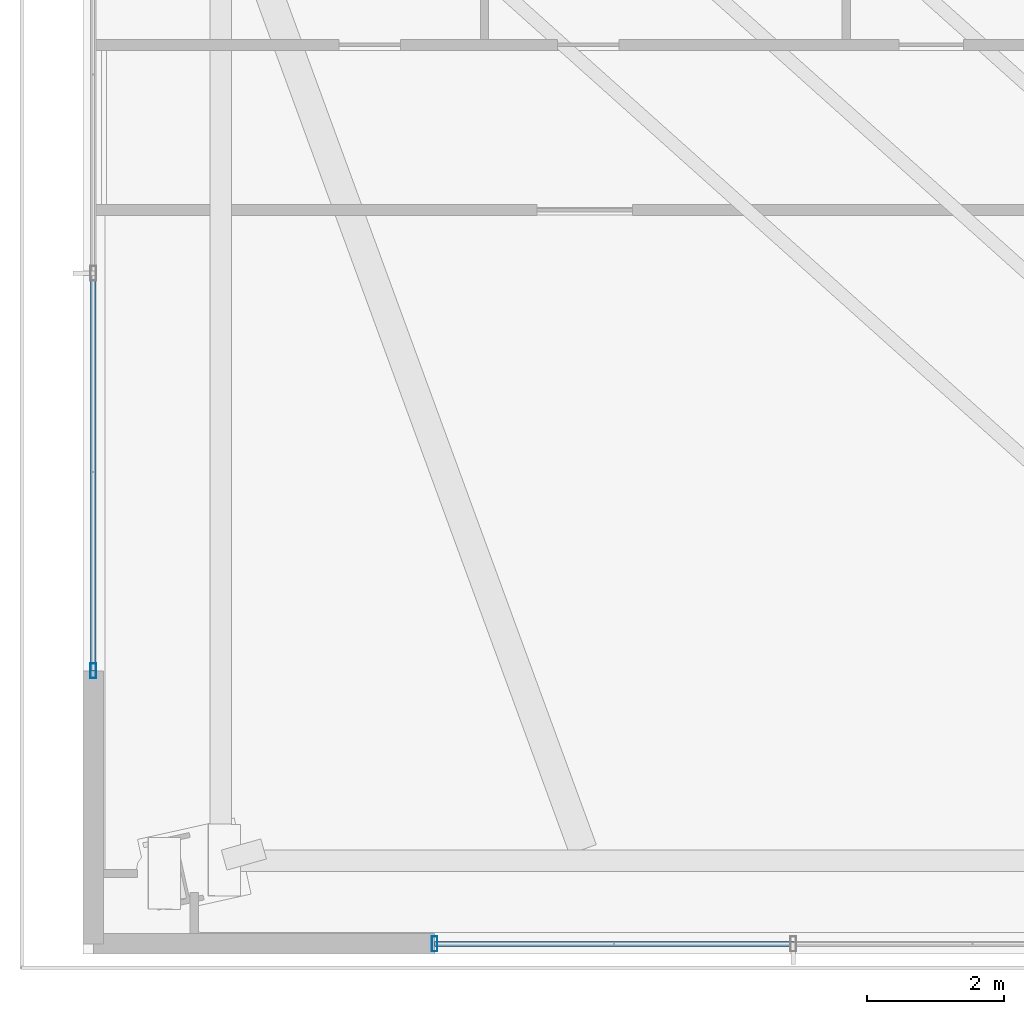
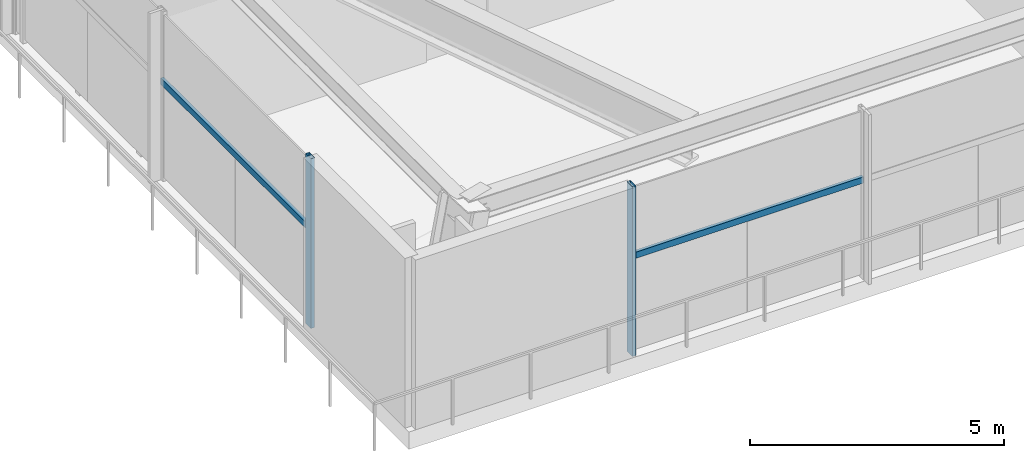
# One storey, part 2 of 30: 4 members, 2 elements without a shape of their own.
"""IFC4 building model written with IfcOpenShell, lengths in metres."""

import ifcopenshell
import ifcopenshell.guid

model = None  # the IFC model being written
_history = None  # IfcOwnerHistory: only IFC2X3 demands one
_inside = {}  # id of a spatial element -> (the spatial element, [elements in it])
_under = {}  # id of a project, library or spatial element -> (it, [spatial elements below it])
_declared = {}  # id of a project -> (the project, [libraries it declares])
_typed = {}  # id of a type object -> (the type object, [elements of that type])
_made_of = {}  # id of a material, layer set ... -> (it, [elements and type objects made of it])


def new_model(schema):
    """Start an empty IFC model of exactly this schema.

    Asked for "IFC4X3", IfcOpenShell would pick the latest addendum, in which some entities
    have other attributes; the version numbers below select the first issue.
    IFC2X3 requires an IfcOwnerHistory on every rooted entity: one is made here for all.
    """
    global model, _history
    if schema == "IFC4X3":
        model = ifcopenshell.file(schema_version=(4, 3, 0, 0))
    else:
        model = ifcopenshell.file(schema=schema)
    _inside.clear()
    _under.clear()
    _declared.clear()
    _typed.clear()
    _made_of.clear()
    _history = None
    if model.schema == "IFC2X3":
        org = make("IfcOrganization", Name="unknown")
        user = make(
            "IfcPersonAndOrganization",
            ThePerson=make("IfcPerson", FamilyName="unknown"),
            TheOrganization=org,
        )
        app = make(
            "IfcApplication",
            ApplicationDeveloper=org,
            Version="unknown",
            ApplicationFullName="unknown",
            ApplicationIdentifier="unknown",
        )
        _history = make(
            "IfcOwnerHistory",
            OwningUser=user,
            OwningApplication=app,
            ChangeAction="ADDED",
            CreationDate=0,
        )
    return model


def make(cls, **values):
    """One entity of the class cls with the attributes given. An attribute that is None is left unset."""
    return model.create_entity(
        cls, **{name: value for name, value in values.items() if value is not None}
    )


def rooted(cls, **values):
    """An entity with a GlobalId (a new one), such as an element, a storey or a relation."""
    return make(cls, GlobalId=ifcopenshell.guid.new(), OwnerHistory=_history, **values)


def si_unit(unit_type, name, prefix=None):
    """IfcSIUnit, for example si_unit("LENGTHUNIT", "METRE", prefix="MILLI")."""
    return make("IfcSIUnit", UnitType=unit_type, Prefix=prefix, Name=name)


def assignment(units):
    """IfcUnitAssignment: the units of a project."""
    return None if units is None else make("IfcUnitAssignment", Units=units)


def point(xyz):
    """IfcCartesianPoint."""
    return None if xyz is None else make("IfcCartesianPoint", Coordinates=xyz)


def direction(xyz):
    """IfcDirection."""
    return None if xyz is None else make("IfcDirection", DirectionRatios=xyz)


def frame(location, z_axis=None, x_axis=None):
    """IfcAxis2Placement3D, a coordinate frame: its origin and axes. An axis left out is left unset."""
    return make(
        "IfcAxis2Placement3D",
        Location=point(location),
        Axis=direction(z_axis),
        RefDirection=direction(x_axis),
    )


def frame_2d(location, x_axis=None):
    """IfcAxis2Placement2D, a coordinate frame in the plane: its origin and x axis."""
    return make(
        "IfcAxis2Placement2D", Location=point(location), RefDirection=direction(x_axis)
    )


def origin():
    """The frame at (0, 0, 0) with its axes left unset."""
    return frame((0.0, 0.0, 0.0))


def origin_2d():
    """The frame at (0, 0) in the plane with its x axis left unset."""
    return frame_2d((0.0, 0.0))


def place(relative_to, where):
    """IfcLocalPlacement: puts the frame where relative to a parent placement (None: the world)."""
    return make(
        "IfcLocalPlacement", PlacementRelTo=relative_to, RelativePlacement=where
    )


def context(
    kind, dimensions, precision=None, world=None, true_north=None, identifier=None
):
    """IfcGeometricRepresentationContext, for example the 3D "Model" context."""
    return make(
        "IfcGeometricRepresentationContext",
        ContextIdentifier=identifier,
        ContextType=kind,
        CoordinateSpaceDimension=dimensions,
        Precision=precision,
        WorldCoordinateSystem=world,
        TrueNorth=true_north,
    )


def subcontext(parent, identifier, kind, view, scale=None):
    """IfcGeometricRepresentationSubContext, for example "Body" below "Model"."""
    return make(
        "IfcGeometricRepresentationSubContext",
        ContextIdentifier=identifier,
        ContextType=kind,
        ParentContext=parent,
        TargetScale=scale,
        TargetView=view,
    )


def project(units=None, contexts=None):
    """IfcProject with its units and contexts."""
    return rooted(
        "IfcProject",
        Name="project",
        RepresentationContexts=contexts,
        UnitsInContext=assignment(units),
    )


def spatial(cls, under=None, at=None, **own):
    """A site, building, storey or space (cls), placed at a placement, below another one or the project."""
    s = rooted(cls, ObjectPlacement=at, **own)
    if under is not None:
        _under.setdefault(under.id(), (under, []))[1].append(s)
    return s


def profile(cls, at=None, kind="AREA", **sizes):
    """A parametric profile (cls). Its sizes go by their IFC names, for example OverallWidth=200.0."""
    return make(cls, ProfileType=kind, Position=at, **sizes)


def hollow_rectangle(**sizes):
    """IfcRectangleHollowProfileDef."""
    return profile("IfcRectangleHollowProfileDef", **sizes)


def extrude(swept, where, along, depth):
    """IfcExtrudedAreaSolid: the profile swept, set in the frame where, extruded along a direction by depth."""
    return make(
        "IfcExtrudedAreaSolid",
        SweptArea=swept,
        Position=where,
        ExtrudedDirection=direction(along),
        Depth=depth,
    )


def shape(context_of_items, identifier, shape_type, items):
    """IfcShapeRepresentation: the items that make up one representation, for example the "Body"."""
    return make(
        "IfcShapeRepresentation",
        ContextOfItems=context_of_items,
        RepresentationIdentifier=identifier,
        RepresentationType=shape_type,
        Items=items,
    )


def source(mapping_origin, context_of_items, identifier, shape_type, items):
    """IfcRepresentationMap: a shape defined once, which mapped items show again and again."""
    return make(
        "IfcRepresentationMap",
        MappingOrigin=mapping_origin,
        MappedRepresentation=shape(context_of_items, identifier, shape_type, items),
    )


def transform(
    local_origin,
    x_axis=None,
    y_axis=None,
    z_axis=None,
    scale=None,
    scale2=None,
    scale3=None,
    uniform=True,
):
    """IfcCartesianTransformationOperator3D, or its non-uniform kind. x_axis, y_axis, z_axis: its Axis1, 2, 3."""
    if uniform:
        return make(
            "IfcCartesianTransformationOperator3D",
            Axis1=direction(x_axis),
            Axis2=direction(y_axis),
            LocalOrigin=point(local_origin),
            Scale=scale,
            Axis3=direction(z_axis),
        )
    return make(
        "IfcCartesianTransformationOperator3DnonUniform",
        Axis1=direction(x_axis),
        Axis2=direction(y_axis),
        LocalOrigin=point(local_origin),
        Scale=scale,
        Axis3=direction(z_axis),
        Scale2=scale2,
        Scale3=scale3,
    )


def mapped(mapping_source, mapping_target):
    """IfcMappedItem: shows the shape of a source again, moved by a transform."""
    return make(
        "IfcMappedItem", MappingSource=mapping_source, MappingTarget=mapping_target
    )


def material(Name=None, Category=None):
    """IfcMaterial."""
    return make("IfcMaterial", Name=Name, Category=Category)


def material_profile(
    of_material, cross_section, Name=None, Category=None, Priority=None
):
    """IfcMaterialProfile: a cross section and its material."""
    return make(
        "IfcMaterialProfile",
        Name=Name,
        Material=of_material,
        Profile=cross_section,
        Priority=Priority,
        Category=Category,
    )


def profile_set(profiles, Name=None, composite=None):
    """IfcMaterialProfileSet."""
    return make(
        "IfcMaterialProfileSet",
        Name=Name,
        MaterialProfiles=profiles,
        CompositeProfile=composite,
    )


def made_of(thing, what):
    """Note that an element or type object is made of a material, layer set ...; save() writes the relation."""
    if what is not None:
        _made_of.setdefault(what.id(), (what, []))[1].append(thing)
    return thing


def type_object(cls, material=None, **own):
    """A type object (cls), such as IfcWallType, which elements share."""
    return made_of(rooted(cls, **own), material)


def type_shapes(of_type, sources):
    """Give a type object the sources (RepresentationMaps) that its elements show as mapped items."""
    of_type.RepresentationMaps = sources


def element(
    cls,
    number,
    at=None,
    inside=None,
    cuts=None,
    type_object=None,
    material=None,
    context=None,
    identifier="Body",
    shape_type=None,
    held_by="IfcProductDefinitionShape",
    body=None,
    shapes=None,
    **own,
):
    """One element of the class cls, such as IfcWall. Its Tag is "e" and its number.

    at: its placement. inside: the storey or other place that contains it. cuts: it is an
    opening in that element (IfcRelVoidsElement). A single representation is given by context,
    identifier, shape_type and body (its items); several are given by shapes. held_by: the class
    of the entity that holds the representations. save() writes the other relations.
    """
    e = rooted(cls, Tag="e%d" % number, ObjectPlacement=at, **own)
    if body is not None:
        shapes = [shape(context, identifier, shape_type, body)]
    if shapes is not None:
        e.Representation = make(held_by, Representations=shapes)
    if inside is not None:
        _inside.setdefault(inside.id(), (inside, []))[1].append(e)
    if cuts is not None:
        rooted(
            "IfcRelVoidsElement", RelatingBuildingElement=cuts, RelatedOpeningElement=e
        )
    if type_object is not None:
        _typed.setdefault(type_object.id(), (type_object, []))[1].append(e)
    return made_of(e, material)


def aggregate(whole, parts):
    """IfcRelAggregates: a whole, such as a stair, and the parts it consists of."""
    return rooted("IfcRelAggregates", RelatingObject=whole, RelatedObjects=parts)


def save(model, path):
    """Write the relations noted so far, then the file.

    IfcRelAggregates (storeys below a building ...), IfcRelContainedInSpatialStructure (elements
    in a storey), IfcRelDefinesByType, IfcRelAssociatesMaterial and IfcRelDeclares: one each for
    every whole, place, type object, material and project.
    """
    for whole, parts in _under.values():
        aggregate(whole, parts)
    for where, things in _inside.values():
        rooted(
            "IfcRelContainedInSpatialStructure",
            RelatedElements=things,
            RelatingStructure=where,
        )
    for kind, things in _typed.values():
        rooted("IfcRelDefinesByType", RelatedObjects=things, RelatingType=kind)
    for what, things in _made_of.values():
        rooted("IfcRelAssociatesMaterial", RelatedObjects=things, RelatingMaterial=what)
    for by, libraries in _declared.values():
        rooted("IfcRelDeclares", RelatingContext=by, RelatedDefinitions=libraries)
    model.write(path)


model = new_model("IFC4")

# Units and contexts
model_context = context("Model", 3, precision=1e-05, world=origin(), true_north=direction((0.0, 1.0)))
body_context = subcontext(model_context, "Body", "Model", "MODEL_VIEW")
ifc_project = project(units=[si_unit("LENGTHUNIT", "METRE"), si_unit("AREAUNIT", "SQUARE_METRE"), si_unit("VOLUMEUNIT", "CUBIC_METRE"), si_unit("PLANEANGLEUNIT", "RADIAN"), si_unit("MASSUNIT", "GRAM", prefix="KILO")], contexts=[model_context])

# Site, building, storey
site_placement = place(None, origin())
site = spatial("IfcSite", under=ifc_project, at=site_placement, CompositionType="ELEMENT")
building_placement = place(site_placement, origin())
building = spatial("IfcBuilding", under=site, at=building_placement, Name="Astriad Promenade Condominiums", CompositionType="ELEMENT")
storey_placement = place(building_placement, frame((0.0, 0.0, 14.0)))
storey = spatial("IfcBuildingStorey", under=building, at=storey_placement, Name="L03", CompositionType="ELEMENT", Elevation=14.0)

# Curtain wall, member
ifc_material_1 = material(Name="Anodised aluminium Black Dark Glass Unitised", Category="aluminium")
curtain_wall_type = type_object("IfcCurtainWallType", Name="CW-POD-DARK", PredefinedType="USERDEFINED", material=ifc_material_1)
curtain_wall_1_placement = place(storey_placement, origin())
curtain_wall_1 = element("IfcCurtainWall", 1, at=curtain_wall_1_placement, inside=storey, type_object=curtain_wall_type, Name="CW-L03-W", ObjectType="UNITISED_CURTAIN_WALL", PredefinedType="USERDEFINED")
ifc_material_2 = material(Name="Anodised aluminium 6063-T6 Black", Category="aluminium")
ifc_material_profile_1 = material_profile(ifc_material_2, hollow_rectangle(XDim=0.0849609375, YDim=0.219970703125, WallThickness=0.0048828125, at=origin_2d()), Name="ALU-MUL-85X220")
ifc_profile_set_1 = profile_set([ifc_material_profile_1], Name="Anodised aluminium 6063-T6 Black")
member_type_1 = type_object("IfcMemberType", Name="MUL-ALU-MUL-85X220", PredefinedType="MULLION", material=ifc_profile_set_1)
shared_shape_1 = source(origin(), body_context, "Body", "SweptSolid", [
    extrude(hollow_rectangle(XDim=0.0849609375, YDim=0.219970703125, WallThickness=0.0048828125, at=origin_2d()), origin(), (0.0, 0.0, 1.0), 4.080078125),
])
type_shapes(member_type_1, [shared_shape_1])
member_1_placement = place(storey_placement, frame((3.64990234375, 5.550048828125, 0.0), z_axis=(0.0, 0.0, 1.0), x_axis=(1.0, 0.0, 0.0)))
member_1 = element("IfcMember", 2, at=member_1_placement, type_object=member_type_1, Name="CW-L03-W-MUL-00", PredefinedType="MULLION", context=body_context, shape_type="MappedRepresentation", body=[
    mapped(shared_shape_1, transform((0.0, 0.0, 0.0), scale=1.0)),
])

curtain_wall_2_placement = place(storey_placement, origin())
curtain_wall_2 = element("IfcCurtainWall", 3, at=curtain_wall_2_placement, inside=storey, type_object=curtain_wall_type, Name="CW-L03-S", ObjectType="UNITISED_CURTAIN_WALL", PredefinedType="USERDEFINED")
member_2_placement = place(storey_placement, frame((8.64990234375, 1.550048828125, 0.0), z_axis=(0.0, 0.0, 1.0), x_axis=(1.0, 0.0, 0.0)))
member_2 = element("IfcMember", 4, at=member_2_placement, type_object=member_type_1, Name="CW-L03-S-MUL-11", PredefinedType="MULLION", context=body_context, shape_type="MappedRepresentation", body=[
    mapped(shared_shape_1, transform((0.0, 0.0, 0.0), scale=1.0)),
])

# Member
ifc_material_profile_2 = material_profile(ifc_material_2, hollow_rectangle(XDim=0.074951171875, YDim=0.14990234375, WallThickness=0.004150390625, at=origin_2d()), Name="ALU-TRN-75X150")
ifc_profile_set_2 = profile_set([ifc_material_profile_2], Name="Anodised aluminium 6063-T6 Black")
member_type_2 = type_object("IfcMemberType", Name="TRN-ALU-TRN-75X150", PredefinedType="USERDEFINED", material=ifc_profile_set_2)
shared_shape_2 = source(origin(), body_context, "Body", "SweptSolid", [
    extrude(hollow_rectangle(XDim=0.074951171875, YDim=0.14990234375, WallThickness=0.004150390625, at=origin_2d()), origin(), (0.0, 0.0, 1.0), 5.824951171875),
])
member_3_placement = place(storey_placement, frame((3.64990234375, 5.550048828125, 2.35009765625), z_axis=(0.0, 1.0, 0.0), x_axis=(-1.0, 0.0, 0.0)))
member_3 = element("IfcMember", 5, at=member_3_placement, type_object=member_type_2, Name="CW-L03-W-TRN-00-0", ObjectType="TRANSOM", PredefinedType="USERDEFINED", context=body_context, shape_type="MappedRepresentation", body=[
    mapped(shared_shape_2, transform((0.0, 0.0, 0.0), scale=1.0)),
])

aggregate(curtain_wall_1, [member_1, member_3])

shared_shape_3 = source(origin(), body_context, "Body", "SweptSolid", [
    extrude(hollow_rectangle(XDim=0.074951171875, YDim=0.14990234375, WallThickness=0.004150390625, at=origin_2d()), origin(), (0.0, 0.0, 1.0), 5.254638671875),
])
type_shapes(member_type_2, [shared_shape_2, shared_shape_3])
member_4_placement = place(storey_placement, frame((13.904541015625, 1.550048828125, 2.35009765625), z_axis=(-1.0, 0.0, 0.0), x_axis=(0.0, -1.0, 0.0)))
member_4 = element("IfcMember", 6, at=member_4_placement, type_object=member_type_2, Name="CW-L03-S-TRN-10-0", ObjectType="TRANSOM", PredefinedType="USERDEFINED", context=body_context, shape_type="MappedRepresentation", body=[
    mapped(shared_shape_3, transform((0.0, 0.0, 0.0), scale=1.0)),
])

aggregate(curtain_wall_2, [member_2, member_4])

save(model, "model.ifc")
